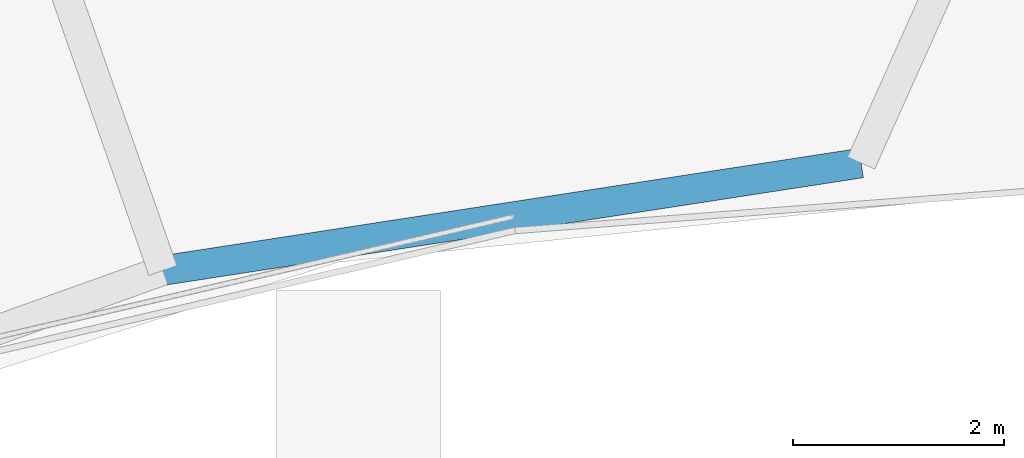
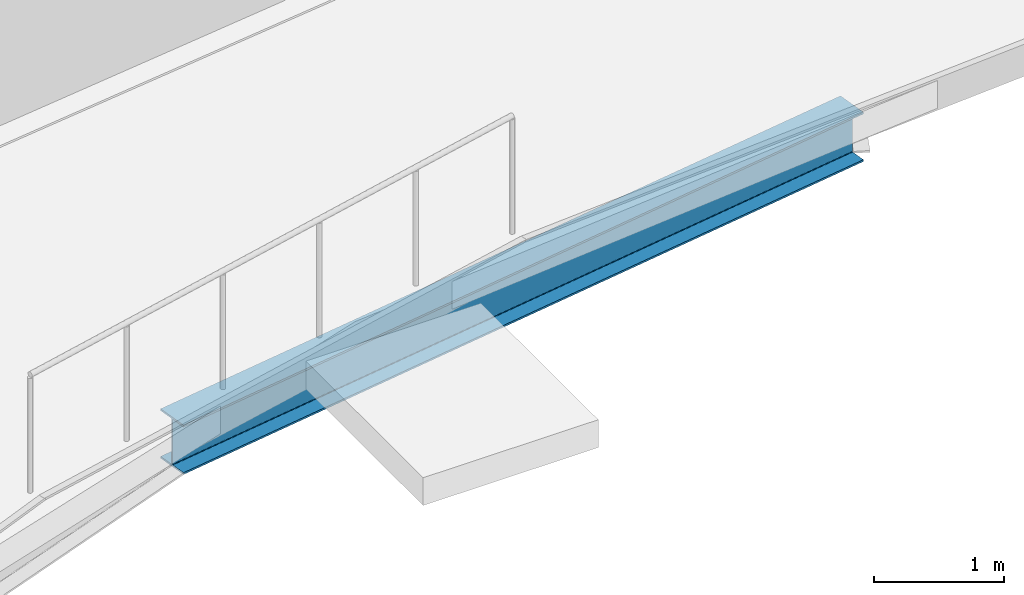
# One storey, part 59 of 128: 1 beam.
"""IFC4 building model written with IfcOpenShell, lengths in metres."""

from ifc_helpers import new_model, si_unit, direction, frame, origin, origin_2d, place, context, subcontext, project, spatial, i_section, extrude, material, material_profile, profile_set, type_object, element, save


model = new_model("IFC4")

# Units and contexts
model_context = context("Model", 3, precision=1e-05, world=origin(), true_north=direction((0.0, 1.0)))
body_context = subcontext(model_context, "Body", "Model", "MODEL_VIEW")
ifc_project = project(units=[si_unit("LENGTHUNIT", "METRE"), si_unit("AREAUNIT", "SQUARE_METRE"), si_unit("VOLUMEUNIT", "CUBIC_METRE"), si_unit("PLANEANGLEUNIT", "RADIAN"), si_unit("MASSUNIT", "GRAM", prefix="KILO")], contexts=[model_context])

# Site, building, storey
site_placement = place(None, origin())
site = spatial("IfcSite", under=ifc_project, at=site_placement, CompositionType="ELEMENT")
building_placement = place(site_placement, origin())
building = spatial("IfcBuilding", under=site, at=building_placement, Name="Vespera Passage Community Centre", CompositionType="ELEMENT")
storey_placement = place(building_placement, frame((0.0, 0.0, 4.5)))
storey = spatial("IfcBuildingStorey", under=building, at=storey_placement, Name="L01", CompositionType="ELEMENT", Elevation=4.5)

# Beam
ifc_material = material(Name="Steel ASTM A992 Grade 50", Category="steel")
ifc_material_profile = material_profile(ifc_material, i_section(OverallWidth=0.280517578125, OverallDepth=0.46240234375, WebThickness=0.0107421875, FlangeThickness=0.017333984375, FilletRadius=0.01025390625, at=origin_2d()), Name="W18X76")
ifc_profile_set = profile_set([ifc_material_profile], Name="Steel ASTM A992 Grade 50")
beam_type = type_object("IfcBeamType", Name="BM-RB-W18X76E", PredefinedType="SPANDREL", material=ifc_profile_set)
beam_placement = place(storey_placement, frame((76.254638671875, 98.80419921875, -0.4912109375), z_axis=(-0.988360713684, -0.152128562887, 0.0), x_axis=(0.152128562887, -0.988360713684, 0.0)))
element("IfcBeam", 1, at=beam_placement, inside=storey, type_object=beam_type, Name="Courtyard Terrace Edge Beam 1", PredefinedType="SPANDREL", context=body_context, shape_type="SweptSolid", body=[
    extrude(i_section(OverallWidth=0.280517578125, OverallDepth=0.46240234375, WebThickness=0.0107421875, FlangeThickness=0.017333984375, FilletRadius=0.01025390625, at=origin_2d()), origin(), (0.0, 0.0, 1.0), 6.6826171875),
])

save(model, "model.ifc")
